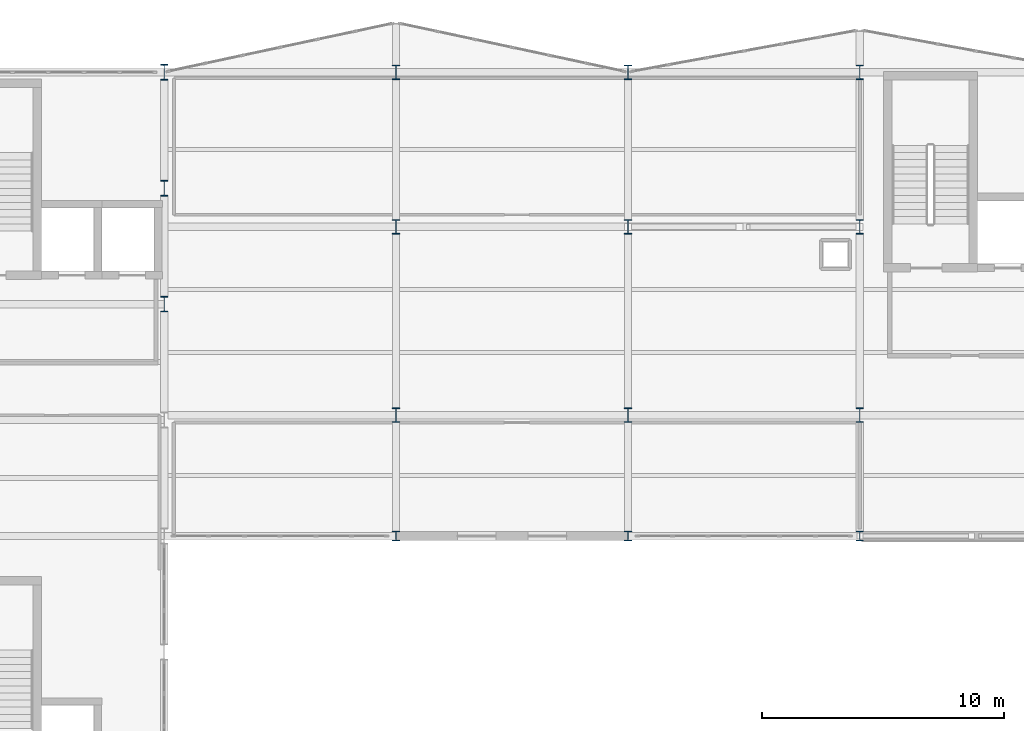
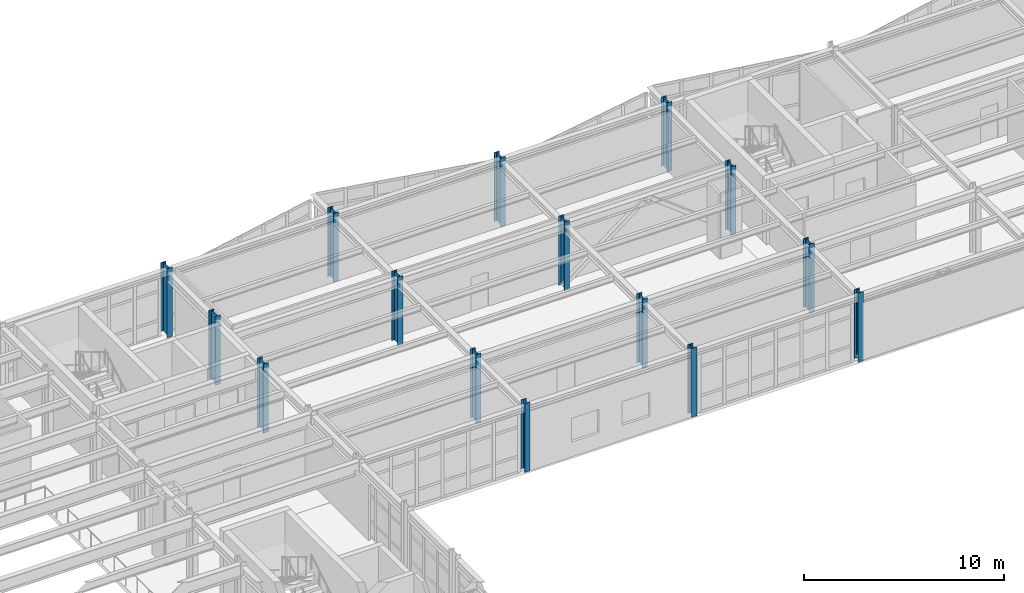
# One storey, part 12 of 99: 15 columns.
"""IFC4 building model written with IfcOpenShell, lengths in metres."""

from ifc_helpers import new_model, si_unit, direction, frame, origin, origin_2d, place, context, subcontext, project, spatial, i_section, extrude, material, material_profile, profile_set, type_object, element, save


model = new_model("IFC4")

# Units and contexts
model_context = context("Model", 3, precision=1e-05, world=origin(), true_north=direction((0.0, 1.0)))
body_context = subcontext(model_context, "Body", "Model", "MODEL_VIEW")
ifc_project = project(units=[si_unit("LENGTHUNIT", "METRE"), si_unit("AREAUNIT", "SQUARE_METRE"), si_unit("VOLUMEUNIT", "CUBIC_METRE"), si_unit("PLANEANGLEUNIT", "RADIAN"), si_unit("MASSUNIT", "GRAM", prefix="KILO")], contexts=[model_context])

# Site, building, storey
site_placement = place(None, origin())
site = spatial("IfcSite", under=ifc_project, at=site_placement, CompositionType="ELEMENT")
building_placement = place(site_placement, origin())
building = spatial("IfcBuilding", under=site, at=building_placement, Name="Nordkorset Police Headquarters", CompositionType="ELEMENT")
storey_placement = place(building_placement, frame((0.0, 0.0, 5.25)))
storey = spatial("IfcBuildingStorey", under=building, at=storey_placement, Name="L01", CompositionType="ELEMENT", Elevation=5.25)

# Columns
ifc_material_1 = material(Name="Steel S355J2", Category="steel")
ifc_material_profile_1 = material_profile(ifc_material_1, i_section(OverallWidth=0.300048828125, OverallDepth=0.39990234375, WebThickness=0.013427734375, FlangeThickness=0.02392578125, FilletRadius=0.027099609375, at=origin_2d()), Name="HEB 400")
ifc_profile_set_1 = profile_set([ifc_material_profile_1], Name="Steel S355J2")
column_type_1 = type_object("IfcColumnType", Name="Col_HEB_400", PredefinedType="COLUMN", material=ifc_profile_set_1)
for number, where, z_axis, x_axis, name in (
    (1, (38.39990234375, 97.60009765625, 0.0), (0.0, 0.0, 1.0), (1.0, 0.0, 0.0), "Structural Column V2_Y0_0 L01"),
    (2, (48.0, 97.60009765625, 0.0), (0.0, 0.0, 1.0), (1.0, 0.0, 0.0), "Structural Column V2_Y0_1 L01"),
    (3, (57.60009765625, 97.60009765625, 0.0), (0.0, 0.0, 1.0), (1.0, 0.0, 0.0), "Structural Column V2_Y0_2 L01"),
):
    element("IfcColumn", number, at=place(storey_placement, frame(where, z_axis=z_axis, x_axis=x_axis)), inside=storey, type_object=column_type_1, Name=name, PredefinedType="COLUMN", context=body_context, shape_type="SweptSolid", body=[
        extrude(i_section(OverallWidth=0.300048828125, OverallDepth=0.39990234375, WebThickness=0.013427734375, FlangeThickness=0.02392578125, FilletRadius=0.027099609375, at=origin_2d()), origin(), (0.0, 0.0, 1.0), 4.199951171875),
    ])
ifc_material_2 = material(Name="Steel S355J2", Category="steel")
ifc_material_profile_2 = material_profile(ifc_material_2, i_section(OverallWidth=0.300048828125, OverallDepth=0.60009765625, WebThickness=0.015380859375, FlangeThickness=0.030029296875, FilletRadius=0.027099609375, at=origin_2d()), Name="HEB 600")
ifc_profile_set_2 = profile_set([ifc_material_profile_2], Name="Steel S355J2")
column_type_2 = type_object("IfcColumnType", Name="Col_HEB_600", PredefinedType="COLUMN", material=ifc_profile_set_2)
for number, where, z_axis, x_axis, name in (
    (4, (38.39990234375, 102.60009765625, 0.0), (0.0, 0.0, 1.0), (1.0, 0.0, 0.0), "Structural Column V2_Y1_0 L01"),
    (5, (38.39990234375, 110.39990234375, 0.0), (0.0, 0.0, 1.0), (1.0, 0.0, 0.0), "Structural Column V2_Y2_0 L01"),
    (6, (38.39990234375, 116.800048828125, 0.0), (0.0, 0.0, 1.0), (1.0, 0.0, 0.0), "Structural Column V2_Y3_0 L01"),
    (7, (48.0, 102.60009765625, 0.0), (0.0, 0.0, 1.0), (1.0, 0.0, 0.0), "Structural Column V2_Y1_1 L01"),
    (8, (48.0, 110.39990234375, 0.0), (0.0, 0.0, 1.0), (1.0, 0.0, 0.0), "Structural Column V2_Y2_1 L01"),
    (9, (48.0, 116.800048828125, 0.0), (0.0, 0.0, 1.0), (1.0, 0.0, 0.0), "Structural Column V2_Y3_1 L01"),
    (10, (57.60009765625, 102.60009765625, 0.0), (0.0, 0.0, 1.0), (1.0, 0.0, 0.0), "Structural Column V2_Y1_2 L01"),
    (11, (57.60009765625, 110.39990234375, 0.0), (0.0, 0.0, 1.0), (1.0, 0.0, 0.0), "Structural Column V2_Y2_2 L01"),
    (12, (57.60009765625, 116.800048828125, 0.0), (0.0, 0.0, 1.0), (1.0, 0.0, 0.0), "Structural Column V2_Y3_2 L01"),
):
    element("IfcColumn", number, at=place(storey_placement, frame(where, z_axis=z_axis, x_axis=x_axis)), inside=storey, type_object=column_type_2, Name=name, PredefinedType="COLUMN", context=body_context, shape_type="SweptSolid", body=[
        extrude(i_section(OverallWidth=0.300048828125, OverallDepth=0.60009765625, WebThickness=0.015380859375, FlangeThickness=0.030029296875, FilletRadius=0.027099609375, at=origin_2d()), origin(), (0.0, 0.0, 1.0), 4.199951171875),
    ])
ifc_material_3 = material(Name="Steel S355J2", Category="steel")
ifc_material_profile_3 = material_profile(ifc_material_3, i_section(OverallWidth=0.300048828125, OverallDepth=0.64990234375, WebThickness=0.01611328125, FlangeThickness=0.031005859375, FilletRadius=0.027099609375, at=origin_2d()), Name="HEB 650")
ifc_profile_set_3 = profile_set([ifc_material_profile_3], Name="Steel S355J2")
column_type_3 = type_object("IfcColumnType", Name="Col_HEB_650", PredefinedType="COLUMN", material=ifc_profile_set_3)
for number, where, z_axis, x_axis, name in (
    (13, (28.800048828125, 107.199951171875, 0.0), (0.0, 0.0, 1.0), (1.0, 0.0, 0.0), "Structural Column V1_E_5 L01"),
    (14, (28.800048828125, 112.0, 0.0), (0.0, 0.0, 1.0), (1.0, 0.0, 0.0), "Structural Column V1_E_6 L01"),
    (15, (28.800048828125, 116.800048828125, 0.0), (0.0, 0.0, 1.0), (1.0, 0.0, 0.0), "Structural Column V1_E_7 L01"),
):
    element("IfcColumn", number, at=place(storey_placement, frame(where, z_axis=z_axis, x_axis=x_axis)), inside=storey, type_object=column_type_3, Name=name, PredefinedType="COLUMN", context=body_context, shape_type="SweptSolid", body=[
        extrude(i_section(OverallWidth=0.300048828125, OverallDepth=0.64990234375, WebThickness=0.01611328125, FlangeThickness=0.031005859375, FilletRadius=0.027099609375, at=origin_2d()), origin(), (0.0, 0.0, 1.0), 4.199951171875),
    ])

save(model, "model.ifc")
